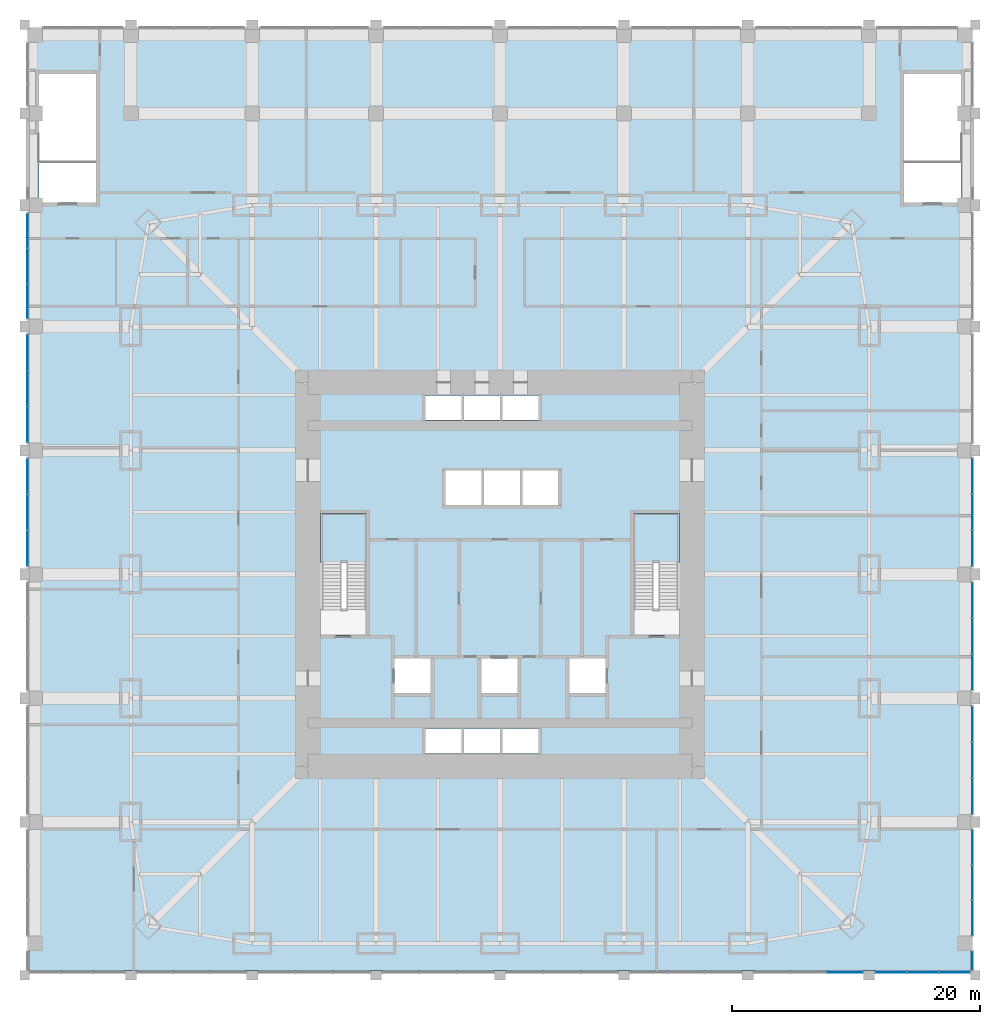
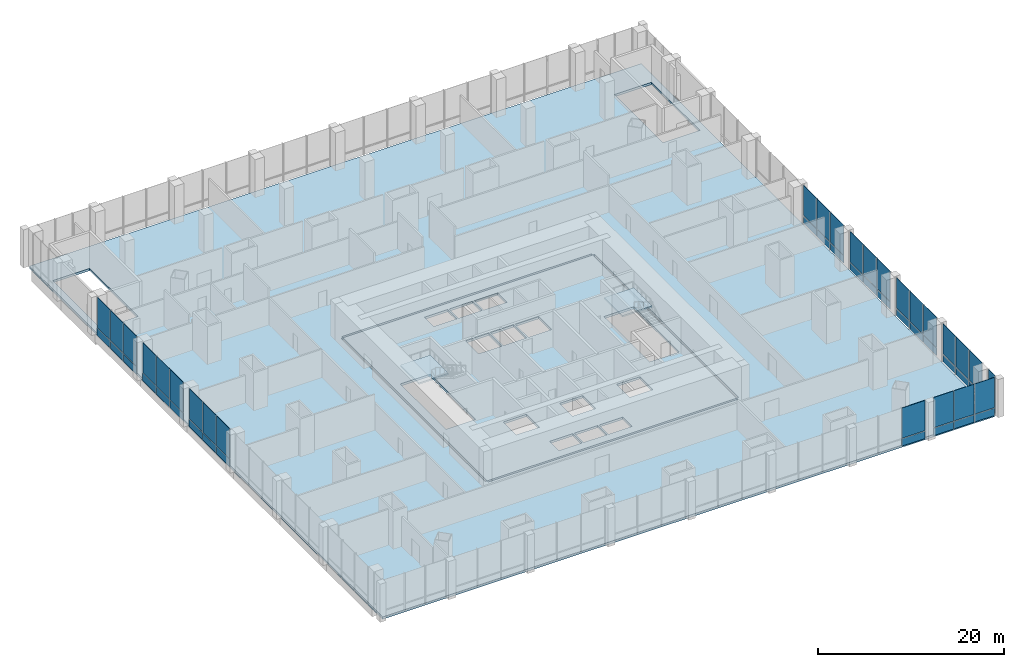
# One storey, part 14 of 22: 52 plates, 4 slabs, 12 elements without a shape of their own.
"""IFC4 building model written with IfcOpenShell, lengths in metres."""

from ifc_helpers import new_model, si_unit, direction, frame, origin, origin_2d, place, context, subcontext, project, spatial, polyline, rectangle, outline, extrude, material, layer, layer_set, type_object, element, aggregate, save


model = new_model("IFC4")

# Units and contexts
model_context = context("Model", 3, precision=1e-05, world=origin(), true_north=direction((0.0, 1.0)))
body_context = subcontext(model_context, "Body", "Model", "MODEL_VIEW")
ifc_project = project(units=[si_unit("LENGTHUNIT", "METRE"), si_unit("AREAUNIT", "SQUARE_METRE"), si_unit("VOLUMEUNIT", "CUBIC_METRE"), si_unit("PLANEANGLEUNIT", "RADIAN"), si_unit("MASSUNIT", "GRAM", prefix="KILO")], contexts=[model_context])

# Site, building, storey
site_placement = place(None, origin())
site = spatial("IfcSite", under=ifc_project, at=site_placement, CompositionType="ELEMENT")
building_placement = place(site_placement, origin())
building = spatial("IfcBuilding", under=site, at=building_placement, Name="Khuree Lantern Residences", CompositionType="ELEMENT")
storey_placement = place(building_placement, frame((0.0, 0.0, 16.0)))
storey = spatial("IfcBuildingStorey", under=building, at=storey_placement, Name="L03", CompositionType="ELEMENT", Elevation=16.0)

# Slabs
ifc_material_1 = material(Name="Concrete C35/45", Category="concrete")
ifc_layer_1 = layer(ifc_material_1, 0.300048828125)
ifc_layer_set_1 = layer_set([ifc_layer_1], Name="CFL300 CORE FLOOR SLAB 300")
slab_type_1 = type_object("IfcSlabType", Name="CFL300 CORE FLOOR SLAB 300", PredefinedType="FLOOR", material=ifc_layer_set_1)
slab_1_placement = place(storey_placement, frame((0.0, 0.0, -0.300048828125)))
element("IfcSlab", 1, at=slab_1_placement, inside=storey, type_object=slab_type_1, Name="Core floor L03", PredefinedType="FLOOR", context=body_context, shape_type="SweptSolid", body=[
    extrude(outline(polyline([(-15.5, -15.5), (-15.5, 15.5), (15.5, 15.5), (15.5, -15.5), (-15.5, -15.5)]), holes=[polyline([(14.5, 4.89990234375), (10.800048828125, 4.89990234375), (10.800048828125, -4.89990234375), (14.5, -4.89990234375), (14.5, 4.89990234375)]), polyline([(8.5, -6.800048828125), (5.60009765625, -6.800048828125), (5.60009765625, -9.60009765625), (8.5, -9.60009765625), (8.5, -6.800048828125)]), polyline([(4.699951171875, 8.39990234375), (1.800048828125, 8.39990234375), (1.800048828125, 5.60009765625), (4.699951171875, 5.60009765625), (4.699951171875, 8.39990234375)]), polyline([(3.10009765625, -12.449951171875), (0.199951171875, -12.449951171875), (0.199951171875, -14.449951171875), (3.10009765625, -14.449951171875), (3.10009765625, -12.449951171875)]), polyline([(3.10009765625, 14.449951171875), (0.199951171875, 14.449951171875), (0.199951171875, 12.449951171875), (3.10009765625, 12.449951171875), (3.10009765625, 14.449951171875)]), polyline([(1.60009765625, 8.39990234375), (-1.300048828125, 8.39990234375), (-1.300048828125, 5.60009765625), (1.60009765625, 5.60009765625), (1.60009765625, 8.39990234375)]), polyline([(1.39990234375, -6.800048828125), (-1.5, -6.800048828125), (-1.5, -9.60009765625), (1.39990234375, -9.60009765625), (1.39990234375, -6.800048828125)]), polyline([(0.0, -12.449951171875), (-2.89990234375, -12.449951171875), (-2.89990234375, -14.449951171875), (0.0, -14.449951171875), (0.0, -12.449951171875)]), polyline([(0.0, 14.449951171875), (-2.89990234375, 14.449951171875), (-2.89990234375, 12.449951171875), (0.0, 12.449951171875), (0.0, 14.449951171875)]), polyline([(-1.5, 8.39990234375), (-4.39990234375, 8.39990234375), (-4.39990234375, 5.60009765625), (-1.5, 5.60009765625), (-1.5, 8.39990234375)]), polyline([(-3.10009765625, -12.449951171875), (-6.0, -12.449951171875), (-6.0, -14.449951171875), (-3.10009765625, -14.449951171875), (-3.10009765625, -12.449951171875)]), polyline([(-3.10009765625, 14.449951171875), (-6.0, 14.449951171875), (-6.0, 12.449951171875), (-3.10009765625, 12.449951171875), (-3.10009765625, 14.449951171875)]), polyline([(-5.60009765625, -6.800048828125), (-8.5, -6.800048828125), (-8.5, -9.60009765625), (-5.60009765625, -9.60009765625), (-5.60009765625, -6.800048828125)]), polyline([(-10.800048828125, 4.89990234375), (-14.5, 4.89990234375), (-14.5, -4.89990234375), (-10.800048828125, -4.89990234375), (-10.800048828125, 4.89990234375)])]), origin(), (0.0, 0.0, 1.0), 0.300048828125),
])
ifc_layer_2 = layer(ifc_material_1, 0.300048828125)
ifc_layer_set_2 = layer_set([ifc_layer_2], Name="FS300 FLOOR SLAB 300")
slab_type_2 = type_object("IfcSlabType", Name="FS300 FLOOR SLAB 300", PredefinedType="FLOOR", material=ifc_layer_set_2)
slab_2_placement = place(storey_placement, frame((0.0, 0.0, -0.300048828125)))
element("IfcSlab", 2, at=slab_2_placement, inside=storey, type_object=slab_type_2, Name="Floor slab L03", PredefinedType="FLOOR", context=body_context, shape_type="SweptSolid", body=[
    extrude(outline(polyline([(-38.0, 44.0), (38.0, 44.0), (38.0, -32.0), (-38.0, -32.0), (-38.0, 44.0)]), holes=[polyline([(37.199951171875, 40.39990234375), (32.60009765625, 40.39990234375), (32.60009765625, 30.0), (37.199951171875, 30.0), (37.199951171875, 40.39990234375)]), polyline([(15.75, 15.5), (15.5, 15.5), (15.5, 15.75), (-15.5, 15.75), (-15.5, 15.5), (-15.75, 15.5), (-15.75, -15.5), (-15.5, -15.5), (-15.5, -15.75), (15.5, -15.75), (15.5, -15.5), (15.75, -15.5), (15.75, 15.5)]), polyline([(-32.60009765625, 40.39990234375), (-37.199951171875, 40.39990234375), (-37.199951171875, 30.0), (-32.60009765625, 30.0), (-32.60009765625, 40.39990234375)])]), origin(), (0.0, 0.0, 1.0), 0.300048828125),
])

# Stair, slab
ifc_material_2 = material(Name="Concrete C40/50", Category="concrete")
stair_type = type_object("IfcStairType", Name="STAIR ST1 HALF TURN 3600", PredefinedType="HALF_TURN_STAIR", material=ifc_material_2)
stair_1_placement = place(storey_placement, origin())
stair_1 = element("IfcStair", 3, at=stair_1_placement, inside=storey, type_object=stair_type, Name="Stair ST1", PredefinedType="HALF_TURN_STAIR")
ifc_layer_3 = layer(ifc_material_2, 0.199951171875)
ifc_layer_set_3 = layer_set([ifc_layer_3], Name="STAIR LANDING SL1 200")
slab_type_3 = type_object("IfcSlabType", Name="STAIR LANDING SL1 200", PredefinedType="LANDING", material=ifc_layer_set_3)
slab_3_placement = place(storey_placement, frame((0.0, 0.0, 2.300048828125)))
slab_3 = element("IfcSlab", 4, at=slab_3_placement, type_object=slab_type_3, Name="ST1 landing 2", PredefinedType="LANDING", context=body_context, shape_type="SweptSolid", body=[
    extrude(outline(polyline([(-14.5, 0.9599609375), (-14.5, 4.89990234375), (-10.800048828125, 4.89990234375), (-10.800048828125, 0.9599609375), (-14.5, 0.9599609375)])), origin(), (0.0, 0.0, 1.0), 0.199951171875),
])
aggregate(stair_1, [slab_3])

stair_2_placement = place(storey_placement, origin())
stair_2 = element("IfcStair", 5, at=stair_2_placement, inside=storey, type_object=stair_type, Name="Stair ST2", PredefinedType="HALF_TURN_STAIR")
slab_4_placement = place(storey_placement, frame((0.0, 0.0, 2.300048828125)))
slab_4 = element("IfcSlab", 6, at=slab_4_placement, type_object=slab_type_3, Name="ST2 landing 2", PredefinedType="LANDING", context=body_context, shape_type="SweptSolid", body=[
    extrude(outline(polyline([(14.5, 4.89990234375), (14.5, 0.9599609375), (10.800048828125, 0.9599609375), (10.800048828125, 4.89990234375), (14.5, 4.89990234375)])), origin(), (0.0, 0.0, 1.0), 0.199951171875),
])
aggregate(stair_2, [slab_4])

# Curtain wall, plate
ifc_material_3 = material(Name="Bronze anodised aluminium", Category="aluminium")
curtain_wall_type = type_object("IfcCurtainWallType", Name="CW-P PODIUM STOREFRONT CURTAIN WALL", PredefinedType="USERDEFINED", material=ifc_material_3)
curtain_wall_1_placement = place(storey_placement, origin())
curtain_wall_1 = element("IfcCurtainWall", 7, at=curtain_wall_1_placement, inside=storey, type_object=curtain_wall_type, Name="L03 SOUTH FACE BAY 7 STOREFRONT", ObjectType="Storefront curtain wall", PredefinedType="USERDEFINED")
ifc_material_4 = material(Name="Bronze tinted laminated triple glazing", Category="glass")
ifc_layer_4 = layer(ifc_material_4, 0.0400390625)
ifc_layer_set_4 = layer_set([ifc_layer_4], Name="STOREFRONT GLASS PANEL P9")
plate_type_1 = type_object("IfcPlateType", Name="STOREFRONT GLASS PANEL P9", PredefinedType="CURTAIN_PANEL", material=ifc_layer_set_4)
plate_1_placement = place(storey_placement, frame((27.841552734375, -32.14990234375, 1.03759765625), z_axis=(0.0, 0.0, 1.0), x_axis=(1.0, 0.0, 0.0)))
plate_1 = element("IfcPlate", 8, at=plate_1_placement, type_object=plate_type_1, Name="L03 SOUTH FACE BAY 7 PANEL 3.2", PredefinedType="CURTAIN_PANEL", context=body_context, shape_type="SweptSolid", body=[
    extrude(rectangle(XDim=2.86669921875, YDim=0.0400390625, at=origin_2d()), origin(), (0.0, 0.0, 1.0), 3.96240234375),
])

# Curtain wall, plates
curtain_wall_2_placement = place(storey_placement, origin())
curtain_wall_2 = element("IfcCurtainWall", 9, at=curtain_wall_2_placement, inside=storey, type_object=curtain_wall_type, Name="L03 SOUTH FACE BAY 8 STOREFRONT", ObjectType="Storefront curtain wall", PredefinedType="USERDEFINED")
plate_2_placement = place(storey_placement, frame((31.566650390625, -32.14990234375, 1.03759765625), z_axis=(0.0, 0.0, 1.0), x_axis=(1.0, 0.0, 0.0)))
plate_2 = element("IfcPlate", 10, at=plate_2_placement, type_object=plate_type_1, Name="L03 SOUTH FACE BAY 8 PANEL 1.2", PredefinedType="CURTAIN_PANEL", context=body_context, shape_type="SweptSolid", body=[
    extrude(rectangle(XDim=2.4833984375, YDim=0.0400390625, at=origin_2d()), origin(), (0.0, 0.0, 1.0), 3.96240234375),
])
plate_3_placement = place(storey_placement, frame((34.125, -32.14990234375, 1.03759765625), z_axis=(0.0, 0.0, 1.0), x_axis=(1.0, 0.0, 0.0)))
plate_3 = element("IfcPlate", 11, at=plate_3_placement, type_object=plate_type_1, Name="L03 SOUTH FACE BAY 8 PANEL 2.2", PredefinedType="CURTAIN_PANEL", context=body_context, shape_type="SweptSolid", body=[
    extrude(rectangle(XDim=2.4833984375, YDim=0.0400390625, at=origin_2d()), origin(), (0.0, 0.0, 1.0), 3.96240234375),
])
plate_4_placement = place(storey_placement, frame((36.683349609375, -32.14990234375, 1.03759765625), z_axis=(0.0, 0.0, 1.0), x_axis=(1.0, 0.0, 0.0)))
plate_4 = element("IfcPlate", 12, at=plate_4_placement, type_object=plate_type_1, Name="L03 SOUTH FACE BAY 8 PANEL 3.2", PredefinedType="CURTAIN_PANEL", context=body_context, shape_type="SweptSolid", body=[
    extrude(rectangle(XDim=2.4833984375, YDim=0.0400390625, at=origin_2d()), origin(), (0.0, 0.0, 1.0), 3.96240234375),
])

# Curtain wall, plate
curtain_wall_3_placement = place(storey_placement, origin())
curtain_wall_3 = element("IfcCurtainWall", 13, at=curtain_wall_3_placement, inside=storey, type_object=curtain_wall_type, Name="L03 EAST FACE BAY 1 STOREFRONT", ObjectType="Storefront curtain wall", PredefinedType="USERDEFINED")
plate_5_placement = place(storey_placement, frame((38.14990234375, -31.199951171875, 1.03759765625), z_axis=(0.0, 0.0, 1.0), x_axis=(0.0, 1.0, 0.0)))
plate_5 = element("IfcPlate", 14, at=plate_5_placement, type_object=plate_type_1, Name="L03 EAST FACE BAY 1 PANEL 1.2", PredefinedType="CURTAIN_PANEL", context=body_context, shape_type="SweptSolid", body=[
    extrude(rectangle(XDim=1.449951171875, YDim=0.0400390625, at=origin_2d()), origin(), (0.0, 0.0, 1.0), 3.96240234375),
])

# Curtain wall, plates
curtain_wall_4_placement = place(storey_placement, origin())
curtain_wall_4 = element("IfcCurtainWall", 15, at=curtain_wall_4_placement, inside=storey, type_object=curtain_wall_type, Name="L03 EAST FACE BAY 1B STOREFRONT", ObjectType="Storefront curtain wall", PredefinedType="USERDEFINED")
plate_6_placement = place(storey_placement, frame((38.14990234375, -27.74169921875, 1.03759765625), z_axis=(0.0, 0.0, 1.0), x_axis=(0.0, 1.0, 0.0)))
plate_6 = element("IfcPlate", 16, at=plate_6_placement, type_object=plate_type_1, Name="L03 EAST FACE BAY 1B PANEL 1.2", PredefinedType="CURTAIN_PANEL", context=body_context, shape_type="SweptSolid", body=[
    extrude(rectangle(XDim=2.7666015625, YDim=0.0400390625, at=origin_2d()), origin(), (0.0, 0.0, 1.0), 3.96240234375),
])
plate_7_placement = place(storey_placement, frame((38.14990234375, -24.89990234375, 1.03759765625), z_axis=(0.0, 0.0, 1.0), x_axis=(0.0, 1.0, 0.0)))
plate_7 = element("IfcPlate", 17, at=plate_7_placement, type_object=plate_type_1, Name="L03 EAST FACE BAY 1B PANEL 2.2", PredefinedType="CURTAIN_PANEL", context=body_context, shape_type="SweptSolid", body=[
    extrude(rectangle(XDim=2.7666015625, YDim=0.0400390625, at=origin_2d()), origin(), (0.0, 0.0, 1.0), 3.96240234375),
])
plate_8_placement = place(storey_placement, frame((38.14990234375, -22.058349609375, 1.03759765625), z_axis=(0.0, 0.0, 1.0), x_axis=(0.0, 1.0, 0.0)))
plate_8 = element("IfcPlate", 18, at=plate_8_placement, type_object=plate_type_1, Name="L03 EAST FACE BAY 1B PANEL 3.2", PredefinedType="CURTAIN_PANEL", context=body_context, shape_type="SweptSolid", body=[
    extrude(rectangle(XDim=2.7666015625, YDim=0.0400390625, at=origin_2d()), origin(), (0.0, 0.0, 1.0), 3.96240234375),
])

curtain_wall_5_placement = place(storey_placement, origin())
curtain_wall_5 = element("IfcCurtainWall", 19, at=curtain_wall_5_placement, inside=storey, type_object=curtain_wall_type, Name="L03 EAST FACE BAY 2 STOREFRONT", ObjectType="Storefront curtain wall", PredefinedType="USERDEFINED")
plate_9_placement = place(storey_placement, frame((38.14990234375, -17.908447265625, 1.03759765625), z_axis=(0.0, 0.0, 1.0), x_axis=(0.0, 1.0, 0.0)))
plate_9 = element("IfcPlate", 20, at=plate_9_placement, type_object=plate_type_1, Name="L03 EAST FACE BAY 2 PANEL 1.2", PredefinedType="CURTAIN_PANEL", context=body_context, shape_type="SweptSolid", body=[
    extrude(rectangle(XDim=2.833251953125, YDim=0.0400390625, at=origin_2d()), origin(), (0.0, 0.0, 1.0), 3.96240234375),
])
plate_10_placement = place(storey_placement, frame((38.14990234375, -15.0, 1.03759765625), z_axis=(0.0, 0.0, 1.0), x_axis=(0.0, 1.0, 0.0)))
plate_10 = element("IfcPlate", 21, at=plate_10_placement, type_object=plate_type_1, Name="L03 EAST FACE BAY 2 PANEL 2.2", PredefinedType="CURTAIN_PANEL", context=body_context, shape_type="SweptSolid", body=[
    extrude(rectangle(XDim=2.833251953125, YDim=0.0400390625, at=origin_2d()), origin(), (0.0, 0.0, 1.0), 3.96240234375),
])
plate_11_placement = place(storey_placement, frame((38.14990234375, -12.091552734375, 1.03759765625), z_axis=(0.0, 0.0, 1.0), x_axis=(0.0, 1.0, 0.0)))
plate_11 = element("IfcPlate", 22, at=plate_11_placement, type_object=plate_type_1, Name="L03 EAST FACE BAY 2 PANEL 3.2", PredefinedType="CURTAIN_PANEL", context=body_context, shape_type="SweptSolid", body=[
    extrude(rectangle(XDim=2.833251953125, YDim=0.0400390625, at=origin_2d()), origin(), (0.0, 0.0, 1.0), 3.96240234375),
])

curtain_wall_6_placement = place(storey_placement, origin())
curtain_wall_6 = element("IfcCurtainWall", 23, at=curtain_wall_6_placement, inside=storey, type_object=curtain_wall_type, Name="L03 EAST FACE BAY 3 STOREFRONT", ObjectType="Storefront curtain wall", PredefinedType="USERDEFINED")
plate_12_placement = place(storey_placement, frame((38.14990234375, -7.908447265625, 1.03759765625), z_axis=(0.0, 0.0, 1.0), x_axis=(0.0, 1.0, 0.0)))
plate_12 = element("IfcPlate", 24, at=plate_12_placement, type_object=plate_type_1, Name="L03 EAST FACE BAY 3 PANEL 1.2", PredefinedType="CURTAIN_PANEL", context=body_context, shape_type="SweptSolid", body=[
    extrude(rectangle(XDim=2.833251953125, YDim=0.0400390625, at=origin_2d()), origin(), (0.0, 0.0, 1.0), 3.96240234375),
])
plate_13_placement = place(storey_placement, frame((38.14990234375, -5.0, 1.03759765625), z_axis=(0.0, 0.0, 1.0), x_axis=(0.0, 1.0, 0.0)))
plate_13 = element("IfcPlate", 25, at=plate_13_placement, type_object=plate_type_1, Name="L03 EAST FACE BAY 3 PANEL 2.2", PredefinedType="CURTAIN_PANEL", context=body_context, shape_type="SweptSolid", body=[
    extrude(rectangle(XDim=2.833251953125, YDim=0.0400390625, at=origin_2d()), origin(), (0.0, 0.0, 1.0), 3.96240234375),
])
plate_14_placement = place(storey_placement, frame((38.14990234375, -2.091552734375, 1.03759765625), z_axis=(0.0, 0.0, 1.0), x_axis=(0.0, 1.0, 0.0)))
plate_14 = element("IfcPlate", 26, at=plate_14_placement, type_object=plate_type_1, Name="L03 EAST FACE BAY 3 PANEL 3.2", PredefinedType="CURTAIN_PANEL", context=body_context, shape_type="SweptSolid", body=[
    extrude(rectangle(XDim=2.833251953125, YDim=0.0400390625, at=origin_2d()), origin(), (0.0, 0.0, 1.0), 3.96240234375),
])

curtain_wall_7_placement = place(storey_placement, origin())
curtain_wall_7 = element("IfcCurtainWall", 27, at=curtain_wall_7_placement, inside=storey, type_object=curtain_wall_type, Name="L03 EAST FACE BAY 4 STOREFRONT", ObjectType="Storefront curtain wall", PredefinedType="USERDEFINED")
plate_15_placement = place(storey_placement, frame((38.14990234375, 2.091552734375, 1.03759765625), z_axis=(0.0, 0.0, 1.0), x_axis=(0.0, 1.0, 0.0)))
plate_15 = element("IfcPlate", 28, at=plate_15_placement, type_object=plate_type_1, Name="L03 EAST FACE BAY 4 PANEL 1.2", PredefinedType="CURTAIN_PANEL", context=body_context, shape_type="SweptSolid", body=[
    extrude(rectangle(XDim=2.833251953125, YDim=0.0400390625, at=origin_2d()), origin(), (0.0, 0.0, 1.0), 3.96240234375),
])
plate_16_placement = place(storey_placement, frame((38.14990234375, 5.0, 1.03759765625), z_axis=(0.0, 0.0, 1.0), x_axis=(0.0, 1.0, 0.0)))
plate_16 = element("IfcPlate", 29, at=plate_16_placement, type_object=plate_type_1, Name="L03 EAST FACE BAY 4 PANEL 2.2", PredefinedType="CURTAIN_PANEL", context=body_context, shape_type="SweptSolid", body=[
    extrude(rectangle(XDim=2.833251953125, YDim=0.0400390625, at=origin_2d()), origin(), (0.0, 0.0, 1.0), 3.96240234375),
])
plate_17_placement = place(storey_placement, frame((38.14990234375, 7.908447265625, 1.03759765625), z_axis=(0.0, 0.0, 1.0), x_axis=(0.0, 1.0, 0.0)))
plate_17 = element("IfcPlate", 30, at=plate_17_placement, type_object=plate_type_1, Name="L03 EAST FACE BAY 4 PANEL 3.2", PredefinedType="CURTAIN_PANEL", context=body_context, shape_type="SweptSolid", body=[
    extrude(rectangle(XDim=2.833251953125, YDim=0.0400390625, at=origin_2d()), origin(), (0.0, 0.0, 1.0), 3.96240234375),
])

curtain_wall_8_placement = place(storey_placement, origin())
curtain_wall_8 = element("IfcCurtainWall", 31, at=curtain_wall_8_placement, inside=storey, type_object=curtain_wall_type, Name="L03 WEST FACE BAY 3 STOREFRONT", ObjectType="Storefront curtain wall", PredefinedType="USERDEFINED")
plate_18_placement = place(storey_placement, frame((-38.14990234375, 27.74169921875, 1.03759765625), z_axis=(0.0, 0.0, 1.0), x_axis=(0.0, -1.0, 0.0)))
plate_18 = element("IfcPlate", 32, at=plate_18_placement, type_object=plate_type_1, Name="L03 WEST FACE BAY 3 PANEL 1.2", PredefinedType="CURTAIN_PANEL", context=body_context, shape_type="SweptSolid", body=[
    extrude(rectangle(XDim=2.7666015625, YDim=0.0400390625, at=origin_2d()), origin(), (0.0, 0.0, 1.0), 3.96240234375),
])
plate_19_placement = place(storey_placement, frame((-38.14990234375, 24.89990234375, 1.03759765625), z_axis=(0.0, 0.0, 1.0), x_axis=(0.0, -1.0, 0.0)))
plate_19 = element("IfcPlate", 33, at=plate_19_placement, type_object=plate_type_1, Name="L03 WEST FACE BAY 3 PANEL 2.2", PredefinedType="CURTAIN_PANEL", context=body_context, shape_type="SweptSolid", body=[
    extrude(rectangle(XDim=2.7666015625, YDim=0.0400390625, at=origin_2d()), origin(), (0.0, 0.0, 1.0), 3.96240234375),
])
plate_20_placement = place(storey_placement, frame((-38.14990234375, 22.058349609375, 1.03759765625), z_axis=(0.0, 0.0, 1.0), x_axis=(0.0, -1.0, 0.0)))
plate_20 = element("IfcPlate", 34, at=plate_20_placement, type_object=plate_type_1, Name="L03 WEST FACE BAY 3 PANEL 3.2", PredefinedType="CURTAIN_PANEL", context=body_context, shape_type="SweptSolid", body=[
    extrude(rectangle(XDim=2.7666015625, YDim=0.0400390625, at=origin_2d()), origin(), (0.0, 0.0, 1.0), 3.96240234375),
])

curtain_wall_9_placement = place(storey_placement, origin())
curtain_wall_9 = element("IfcCurtainWall", 35, at=curtain_wall_9_placement, inside=storey, type_object=curtain_wall_type, Name="L03 WEST FACE BAY 4 STOREFRONT", ObjectType="Storefront curtain wall", PredefinedType="USERDEFINED")
plate_21_placement = place(storey_placement, frame((-38.14990234375, 17.908447265625, 1.03759765625), z_axis=(0.0, 0.0, 1.0), x_axis=(0.0, -1.0, 0.0)))
plate_21 = element("IfcPlate", 36, at=plate_21_placement, type_object=plate_type_1, Name="L03 WEST FACE BAY 4 PANEL 1.2", PredefinedType="CURTAIN_PANEL", context=body_context, shape_type="SweptSolid", body=[
    extrude(rectangle(XDim=2.833251953125, YDim=0.0400390625, at=origin_2d()), origin(), (0.0, 0.0, 1.0), 3.96240234375),
])
plate_22_placement = place(storey_placement, frame((-38.14990234375, 15.0, 1.03759765625), z_axis=(0.0, 0.0, 1.0), x_axis=(0.0, -1.0, 0.0)))
plate_22 = element("IfcPlate", 37, at=plate_22_placement, type_object=plate_type_1, Name="L03 WEST FACE BAY 4 PANEL 2.2", PredefinedType="CURTAIN_PANEL", context=body_context, shape_type="SweptSolid", body=[
    extrude(rectangle(XDim=2.833251953125, YDim=0.0400390625, at=origin_2d()), origin(), (0.0, 0.0, 1.0), 3.96240234375),
])
plate_23_placement = place(storey_placement, frame((-38.14990234375, 12.091552734375, 1.03759765625), z_axis=(0.0, 0.0, 1.0), x_axis=(0.0, -1.0, 0.0)))
plate_23 = element("IfcPlate", 38, at=plate_23_placement, type_object=plate_type_1, Name="L03 WEST FACE BAY 4 PANEL 3.2", PredefinedType="CURTAIN_PANEL", context=body_context, shape_type="SweptSolid", body=[
    extrude(rectangle(XDim=2.833251953125, YDim=0.0400390625, at=origin_2d()), origin(), (0.0, 0.0, 1.0), 3.96240234375),
])

curtain_wall_10_placement = place(storey_placement, origin())
curtain_wall_10 = element("IfcCurtainWall", 39, at=curtain_wall_10_placement, inside=storey, type_object=curtain_wall_type, Name="L03 WEST FACE BAY 5 STOREFRONT", ObjectType="Storefront curtain wall", PredefinedType="USERDEFINED")
plate_24_placement = place(storey_placement, frame((-38.14990234375, 7.908447265625, 1.03759765625), z_axis=(0.0, 0.0, 1.0), x_axis=(0.0, -1.0, 0.0)))
plate_24 = element("IfcPlate", 40, at=plate_24_placement, type_object=plate_type_1, Name="L03 WEST FACE BAY 5 PANEL 1.2", PredefinedType="CURTAIN_PANEL", context=body_context, shape_type="SweptSolid", body=[
    extrude(rectangle(XDim=2.833251953125, YDim=0.0400390625, at=origin_2d()), origin(), (0.0, 0.0, 1.0), 3.96240234375),
])
plate_25_placement = place(storey_placement, frame((-38.14990234375, 5.0, 1.03759765625), z_axis=(0.0, 0.0, 1.0), x_axis=(0.0, -1.0, 0.0)))
plate_25 = element("IfcPlate", 41, at=plate_25_placement, type_object=plate_type_1, Name="L03 WEST FACE BAY 5 PANEL 2.2", PredefinedType="CURTAIN_PANEL", context=body_context, shape_type="SweptSolid", body=[
    extrude(rectangle(XDim=2.833251953125, YDim=0.0400390625, at=origin_2d()), origin(), (0.0, 0.0, 1.0), 3.96240234375),
])
plate_26_placement = place(storey_placement, frame((-38.14990234375, 2.091552734375, 1.03759765625), z_axis=(0.0, 0.0, 1.0), x_axis=(0.0, -1.0, 0.0)))
plate_26 = element("IfcPlate", 42, at=plate_26_placement, type_object=plate_type_1, Name="L03 WEST FACE BAY 5 PANEL 3.2", PredefinedType="CURTAIN_PANEL", context=body_context, shape_type="SweptSolid", body=[
    extrude(rectangle(XDim=2.833251953125, YDim=0.0400390625, at=origin_2d()), origin(), (0.0, 0.0, 1.0), 3.96240234375),
])

# Plate
ifc_material_5 = material(Name="Bronze anodised aluminium insulated spandrel", Category="aluminium")
ifc_layer_5 = layer(ifc_material_5, 0.06005859375)
ifc_layer_set_5 = layer_set([ifc_layer_5], Name="STOREFRONT SPANDREL PANEL P10")
plate_type_2 = type_object("IfcPlateType", Name="STOREFRONT SPANDREL PANEL P10", PredefinedType="CURTAIN_PANEL", material=ifc_layer_set_5)
plate_27_placement = place(storey_placement, frame((27.841552734375, -32.14990234375, 0.0), z_axis=(0.0, 0.0, 1.0), x_axis=(1.0, 0.0, 0.0)))
plate_27 = element("IfcPlate", 43, at=plate_27_placement, type_object=plate_type_2, Name="L03 SOUTH FACE BAY 7 PANEL 3.1", PredefinedType="CURTAIN_PANEL", context=body_context, shape_type="SweptSolid", body=[
    extrude(rectangle(XDim=2.86669921875, YDim=0.06005859375, at=origin_2d()), origin(), (0.0, 0.0, 1.0), 0.96240234375),
])

aggregate(curtain_wall_1, [plate_27, plate_1])

plate_28_placement = place(storey_placement, frame((31.566650390625, -32.14990234375, 0.0), z_axis=(0.0, 0.0, 1.0), x_axis=(1.0, 0.0, 0.0)))
plate_28 = element("IfcPlate", 44, at=plate_28_placement, type_object=plate_type_2, Name="L03 SOUTH FACE BAY 8 PANEL 1.1", PredefinedType="CURTAIN_PANEL", context=body_context, shape_type="SweptSolid", body=[
    extrude(rectangle(XDim=2.4833984375, YDim=0.06005859375, at=origin_2d()), origin(), (0.0, 0.0, 1.0), 0.96240234375),
])

plate_29_placement = place(storey_placement, frame((34.125, -32.14990234375, 0.0), z_axis=(0.0, 0.0, 1.0), x_axis=(1.0, 0.0, 0.0)))
plate_29 = element("IfcPlate", 45, at=plate_29_placement, type_object=plate_type_2, Name="L03 SOUTH FACE BAY 8 PANEL 2.1", PredefinedType="CURTAIN_PANEL", context=body_context, shape_type="SweptSolid", body=[
    extrude(rectangle(XDim=2.4833984375, YDim=0.06005859375, at=origin_2d()), origin(), (0.0, 0.0, 1.0), 0.96240234375),
])

plate_30_placement = place(storey_placement, frame((36.683349609375, -32.14990234375, 0.0), z_axis=(0.0, 0.0, 1.0), x_axis=(1.0, 0.0, 0.0)))
plate_30 = element("IfcPlate", 46, at=plate_30_placement, type_object=plate_type_2, Name="L03 SOUTH FACE BAY 8 PANEL 3.1", PredefinedType="CURTAIN_PANEL", context=body_context, shape_type="SweptSolid", body=[
    extrude(rectangle(XDim=2.4833984375, YDim=0.06005859375, at=origin_2d()), origin(), (0.0, 0.0, 1.0), 0.96240234375),
])

aggregate(curtain_wall_2, [plate_28, plate_2, plate_29, plate_3, plate_30, plate_4])

plate_31_placement = place(storey_placement, frame((38.14990234375, -31.199951171875, 0.0), z_axis=(0.0, 0.0, 1.0), x_axis=(0.0, 1.0, 0.0)))
plate_31 = element("IfcPlate", 47, at=plate_31_placement, type_object=plate_type_2, Name="L03 EAST FACE BAY 1 PANEL 1.1", PredefinedType="CURTAIN_PANEL", context=body_context, shape_type="SweptSolid", body=[
    extrude(rectangle(XDim=1.449951171875, YDim=0.06005859375, at=origin_2d()), origin(), (0.0, 0.0, 1.0), 0.96240234375),
])

aggregate(curtain_wall_3, [plate_31, plate_5])

plate_32_placement = place(storey_placement, frame((38.14990234375, -27.74169921875, 0.0), z_axis=(0.0, 0.0, 1.0), x_axis=(0.0, 1.0, 0.0)))
plate_32 = element("IfcPlate", 48, at=plate_32_placement, type_object=plate_type_2, Name="L03 EAST FACE BAY 1B PANEL 1.1", PredefinedType="CURTAIN_PANEL", context=body_context, shape_type="SweptSolid", body=[
    extrude(rectangle(XDim=2.7666015625, YDim=0.06005859375, at=origin_2d()), origin(), (0.0, 0.0, 1.0), 0.96240234375),
])

plate_33_placement = place(storey_placement, frame((38.14990234375, -24.89990234375, 0.0), z_axis=(0.0, 0.0, 1.0), x_axis=(0.0, 1.0, 0.0)))
plate_33 = element("IfcPlate", 49, at=plate_33_placement, type_object=plate_type_2, Name="L03 EAST FACE BAY 1B PANEL 2.1", PredefinedType="CURTAIN_PANEL", context=body_context, shape_type="SweptSolid", body=[
    extrude(rectangle(XDim=2.7666015625, YDim=0.06005859375, at=origin_2d()), origin(), (0.0, 0.0, 1.0), 0.96240234375),
])

plate_34_placement = place(storey_placement, frame((38.14990234375, -22.058349609375, 0.0), z_axis=(0.0, 0.0, 1.0), x_axis=(0.0, 1.0, 0.0)))
plate_34 = element("IfcPlate", 50, at=plate_34_placement, type_object=plate_type_2, Name="L03 EAST FACE BAY 1B PANEL 3.1", PredefinedType="CURTAIN_PANEL", context=body_context, shape_type="SweptSolid", body=[
    extrude(rectangle(XDim=2.7666015625, YDim=0.06005859375, at=origin_2d()), origin(), (0.0, 0.0, 1.0), 0.96240234375),
])

aggregate(curtain_wall_4, [plate_32, plate_6, plate_33, plate_7, plate_34, plate_8])

plate_35_placement = place(storey_placement, frame((38.14990234375, -17.908447265625, 0.0), z_axis=(0.0, 0.0, 1.0), x_axis=(0.0, 1.0, 0.0)))
plate_35 = element("IfcPlate", 51, at=plate_35_placement, type_object=plate_type_2, Name="L03 EAST FACE BAY 2 PANEL 1.1", PredefinedType="CURTAIN_PANEL", context=body_context, shape_type="SweptSolid", body=[
    extrude(rectangle(XDim=2.833251953125, YDim=0.06005859375, at=origin_2d()), origin(), (0.0, 0.0, 1.0), 0.96240234375),
])

plate_36_placement = place(storey_placement, frame((38.14990234375, -15.0, 0.0), z_axis=(0.0, 0.0, 1.0), x_axis=(0.0, 1.0, 0.0)))
plate_36 = element("IfcPlate", 52, at=plate_36_placement, type_object=plate_type_2, Name="L03 EAST FACE BAY 2 PANEL 2.1", PredefinedType="CURTAIN_PANEL", context=body_context, shape_type="SweptSolid", body=[
    extrude(rectangle(XDim=2.833251953125, YDim=0.06005859375, at=origin_2d()), origin(), (0.0, 0.0, 1.0), 0.96240234375),
])

plate_37_placement = place(storey_placement, frame((38.14990234375, -12.091552734375, 0.0), z_axis=(0.0, 0.0, 1.0), x_axis=(0.0, 1.0, 0.0)))
plate_37 = element("IfcPlate", 53, at=plate_37_placement, type_object=plate_type_2, Name="L03 EAST FACE BAY 2 PANEL 3.1", PredefinedType="CURTAIN_PANEL", context=body_context, shape_type="SweptSolid", body=[
    extrude(rectangle(XDim=2.833251953125, YDim=0.06005859375, at=origin_2d()), origin(), (0.0, 0.0, 1.0), 0.96240234375),
])

aggregate(curtain_wall_5, [plate_35, plate_9, plate_36, plate_10, plate_37, plate_11])

plate_38_placement = place(storey_placement, frame((38.14990234375, -7.908447265625, 0.0), z_axis=(0.0, 0.0, 1.0), x_axis=(0.0, 1.0, 0.0)))
plate_38 = element("IfcPlate", 54, at=plate_38_placement, type_object=plate_type_2, Name="L03 EAST FACE BAY 3 PANEL 1.1", PredefinedType="CURTAIN_PANEL", context=body_context, shape_type="SweptSolid", body=[
    extrude(rectangle(XDim=2.833251953125, YDim=0.06005859375, at=origin_2d()), origin(), (0.0, 0.0, 1.0), 0.96240234375),
])

plate_39_placement = place(storey_placement, frame((38.14990234375, -5.0, 0.0), z_axis=(0.0, 0.0, 1.0), x_axis=(0.0, 1.0, 0.0)))
plate_39 = element("IfcPlate", 55, at=plate_39_placement, type_object=plate_type_2, Name="L03 EAST FACE BAY 3 PANEL 2.1", PredefinedType="CURTAIN_PANEL", context=body_context, shape_type="SweptSolid", body=[
    extrude(rectangle(XDim=2.833251953125, YDim=0.06005859375, at=origin_2d()), origin(), (0.0, 0.0, 1.0), 0.96240234375),
])

plate_40_placement = place(storey_placement, frame((38.14990234375, -2.091552734375, 0.0), z_axis=(0.0, 0.0, 1.0), x_axis=(0.0, 1.0, 0.0)))
plate_40 = element("IfcPlate", 56, at=plate_40_placement, type_object=plate_type_2, Name="L03 EAST FACE BAY 3 PANEL 3.1", PredefinedType="CURTAIN_PANEL", context=body_context, shape_type="SweptSolid", body=[
    extrude(rectangle(XDim=2.833251953125, YDim=0.06005859375, at=origin_2d()), origin(), (0.0, 0.0, 1.0), 0.96240234375),
])

aggregate(curtain_wall_6, [plate_38, plate_12, plate_39, plate_13, plate_40, plate_14])

plate_41_placement = place(storey_placement, frame((38.14990234375, 2.091552734375, 0.0), z_axis=(0.0, 0.0, 1.0), x_axis=(0.0, 1.0, 0.0)))
plate_41 = element("IfcPlate", 57, at=plate_41_placement, type_object=plate_type_2, Name="L03 EAST FACE BAY 4 PANEL 1.1", PredefinedType="CURTAIN_PANEL", context=body_context, shape_type="SweptSolid", body=[
    extrude(rectangle(XDim=2.833251953125, YDim=0.06005859375, at=origin_2d()), origin(), (0.0, 0.0, 1.0), 0.96240234375),
])

plate_42_placement = place(storey_placement, frame((38.14990234375, 5.0, 0.0), z_axis=(0.0, 0.0, 1.0), x_axis=(0.0, 1.0, 0.0)))
plate_42 = element("IfcPlate", 58, at=plate_42_placement, type_object=plate_type_2, Name="L03 EAST FACE BAY 4 PANEL 2.1", PredefinedType="CURTAIN_PANEL", context=body_context, shape_type="SweptSolid", body=[
    extrude(rectangle(XDim=2.833251953125, YDim=0.06005859375, at=origin_2d()), origin(), (0.0, 0.0, 1.0), 0.96240234375),
])

plate_43_placement = place(storey_placement, frame((38.14990234375, 7.908447265625, 0.0), z_axis=(0.0, 0.0, 1.0), x_axis=(0.0, 1.0, 0.0)))
plate_43 = element("IfcPlate", 59, at=plate_43_placement, type_object=plate_type_2, Name="L03 EAST FACE BAY 4 PANEL 3.1", PredefinedType="CURTAIN_PANEL", context=body_context, shape_type="SweptSolid", body=[
    extrude(rectangle(XDim=2.833251953125, YDim=0.06005859375, at=origin_2d()), origin(), (0.0, 0.0, 1.0), 0.96240234375),
])

aggregate(curtain_wall_7, [plate_41, plate_15, plate_42, plate_16, plate_43, plate_17])

plate_44_placement = place(storey_placement, frame((-38.14990234375, 27.74169921875, 0.0), z_axis=(0.0, 0.0, 1.0), x_axis=(0.0, -1.0, 0.0)))
plate_44 = element("IfcPlate", 60, at=plate_44_placement, type_object=plate_type_2, Name="L03 WEST FACE BAY 3 PANEL 1.1", PredefinedType="CURTAIN_PANEL", context=body_context, shape_type="SweptSolid", body=[
    extrude(rectangle(XDim=2.7666015625, YDim=0.06005859375, at=origin_2d()), origin(), (0.0, 0.0, 1.0), 0.96240234375),
])

plate_45_placement = place(storey_placement, frame((-38.14990234375, 24.89990234375, 0.0), z_axis=(0.0, 0.0, 1.0), x_axis=(0.0, -1.0, 0.0)))
plate_45 = element("IfcPlate", 61, at=plate_45_placement, type_object=plate_type_2, Name="L03 WEST FACE BAY 3 PANEL 2.1", PredefinedType="CURTAIN_PANEL", context=body_context, shape_type="SweptSolid", body=[
    extrude(rectangle(XDim=2.7666015625, YDim=0.06005859375, at=origin_2d()), origin(), (0.0, 0.0, 1.0), 0.96240234375),
])

plate_46_placement = place(storey_placement, frame((-38.14990234375, 22.058349609375, 0.0), z_axis=(0.0, 0.0, 1.0), x_axis=(0.0, -1.0, 0.0)))
plate_46 = element("IfcPlate", 62, at=plate_46_placement, type_object=plate_type_2, Name="L03 WEST FACE BAY 3 PANEL 3.1", PredefinedType="CURTAIN_PANEL", context=body_context, shape_type="SweptSolid", body=[
    extrude(rectangle(XDim=2.7666015625, YDim=0.06005859375, at=origin_2d()), origin(), (0.0, 0.0, 1.0), 0.96240234375),
])

aggregate(curtain_wall_8, [plate_44, plate_18, plate_45, plate_19, plate_46, plate_20])

plate_47_placement = place(storey_placement, frame((-38.14990234375, 17.908447265625, 0.0), z_axis=(0.0, 0.0, 1.0), x_axis=(0.0, -1.0, 0.0)))
plate_47 = element("IfcPlate", 63, at=plate_47_placement, type_object=plate_type_2, Name="L03 WEST FACE BAY 4 PANEL 1.1", PredefinedType="CURTAIN_PANEL", context=body_context, shape_type="SweptSolid", body=[
    extrude(rectangle(XDim=2.833251953125, YDim=0.06005859375, at=origin_2d()), origin(), (0.0, 0.0, 1.0), 0.96240234375),
])

plate_48_placement = place(storey_placement, frame((-38.14990234375, 15.0, 0.0), z_axis=(0.0, 0.0, 1.0), x_axis=(0.0, -1.0, 0.0)))
plate_48 = element("IfcPlate", 64, at=plate_48_placement, type_object=plate_type_2, Name="L03 WEST FACE BAY 4 PANEL 2.1", PredefinedType="CURTAIN_PANEL", context=body_context, shape_type="SweptSolid", body=[
    extrude(rectangle(XDim=2.833251953125, YDim=0.06005859375, at=origin_2d()), origin(), (0.0, 0.0, 1.0), 0.96240234375),
])

plate_49_placement = place(storey_placement, frame((-38.14990234375, 12.091552734375, 0.0), z_axis=(0.0, 0.0, 1.0), x_axis=(0.0, -1.0, 0.0)))
plate_49 = element("IfcPlate", 65, at=plate_49_placement, type_object=plate_type_2, Name="L03 WEST FACE BAY 4 PANEL 3.1", PredefinedType="CURTAIN_PANEL", context=body_context, shape_type="SweptSolid", body=[
    extrude(rectangle(XDim=2.833251953125, YDim=0.06005859375, at=origin_2d()), origin(), (0.0, 0.0, 1.0), 0.96240234375),
])

aggregate(curtain_wall_9, [plate_47, plate_21, plate_48, plate_22, plate_49, plate_23])

plate_50_placement = place(storey_placement, frame((-38.14990234375, 7.908447265625, 0.0), z_axis=(0.0, 0.0, 1.0), x_axis=(0.0, -1.0, 0.0)))
plate_50 = element("IfcPlate", 66, at=plate_50_placement, type_object=plate_type_2, Name="L03 WEST FACE BAY 5 PANEL 1.1", PredefinedType="CURTAIN_PANEL", context=body_context, shape_type="SweptSolid", body=[
    extrude(rectangle(XDim=2.833251953125, YDim=0.06005859375, at=origin_2d()), origin(), (0.0, 0.0, 1.0), 0.96240234375),
])

plate_51_placement = place(storey_placement, frame((-38.14990234375, 5.0, 0.0), z_axis=(0.0, 0.0, 1.0), x_axis=(0.0, -1.0, 0.0)))
plate_51 = element("IfcPlate", 67, at=plate_51_placement, type_object=plate_type_2, Name="L03 WEST FACE BAY 5 PANEL 2.1", PredefinedType="CURTAIN_PANEL", context=body_context, shape_type="SweptSolid", body=[
    extrude(rectangle(XDim=2.833251953125, YDim=0.06005859375, at=origin_2d()), origin(), (0.0, 0.0, 1.0), 0.96240234375),
])

plate_52_placement = place(storey_placement, frame((-38.14990234375, 2.091552734375, 0.0), z_axis=(0.0, 0.0, 1.0), x_axis=(0.0, -1.0, 0.0)))
plate_52 = element("IfcPlate", 68, at=plate_52_placement, type_object=plate_type_2, Name="L03 WEST FACE BAY 5 PANEL 3.1", PredefinedType="CURTAIN_PANEL", context=body_context, shape_type="SweptSolid", body=[
    extrude(rectangle(XDim=2.833251953125, YDim=0.06005859375, at=origin_2d()), origin(), (0.0, 0.0, 1.0), 0.96240234375),
])

aggregate(curtain_wall_10, [plate_50, plate_24, plate_51, plate_25, plate_52, plate_26])

save(model, "model.ifc")
